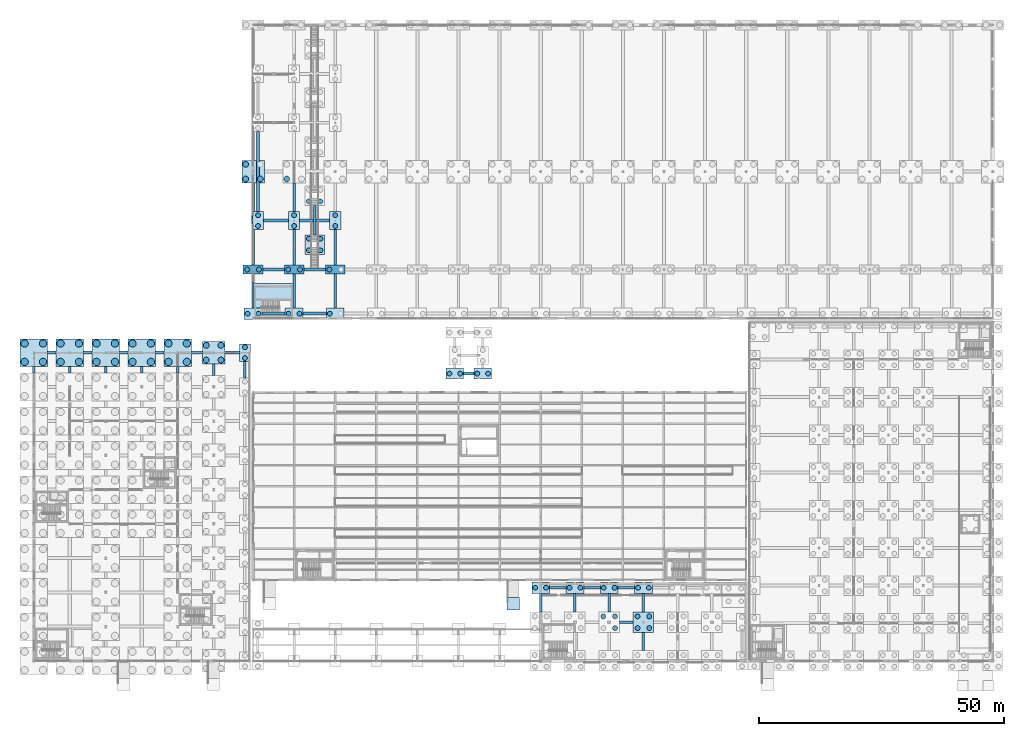
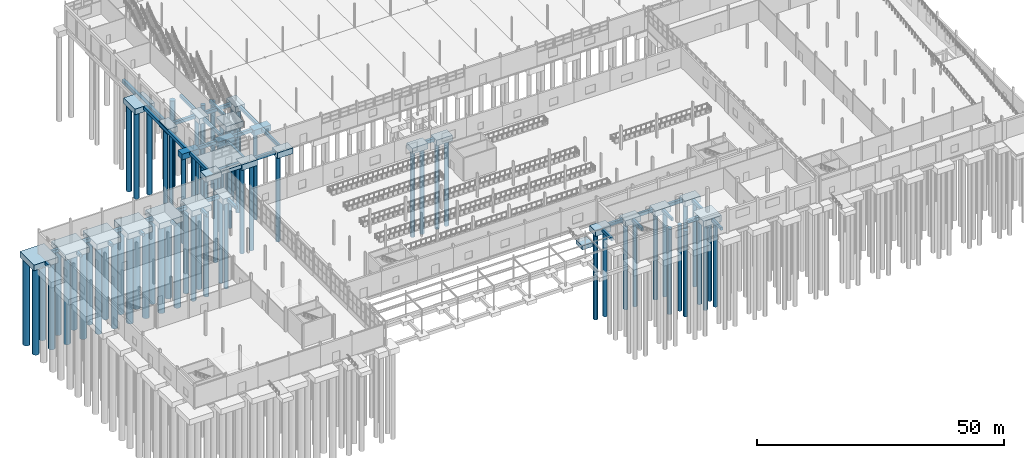
# One storey, part 4 of 139: 71 piles, 65 footings.
"""IFC4 building model written with IfcOpenShell, lengths in metres."""

from ifc_helpers import new_model, si_unit, direction, frame, origin, origin_2d, place, context, subcontext, project, spatial, polyline, rectangle, circle, outline, extrude, material, material_profile, profile_set, type_object, element, save


model = new_model("IFC4")

# Units and contexts
model_context = context("Model", 3, precision=1e-05, world=origin(), true_north=direction((0.0, 1.0)))
body_context = subcontext(model_context, "Body", "Model", "MODEL_VIEW")
ifc_project = project(units=[si_unit("LENGTHUNIT", "METRE"), si_unit("AREAUNIT", "SQUARE_METRE"), si_unit("VOLUMEUNIT", "CUBIC_METRE"), si_unit("PLANEANGLEUNIT", "RADIAN"), si_unit("MASSUNIT", "GRAM", prefix="KILO")], contexts=[model_context])

# Site, building, storey
site_placement = place(None, origin())
site = spatial("IfcSite", under=ifc_project, at=site_placement, CompositionType="ELEMENT")
building_placement = place(site_placement, origin())
building = spatial("IfcBuilding", under=site, at=building_placement, Name="Kazenagashi Tramway Depot", CompositionType="ELEMENT")
storey_placement = place(building_placement, origin())
storey = spatial("IfcBuildingStorey", under=building, at=storey_placement, Name="L01", CompositionType="ELEMENT", Elevation=0.0)

# Piles
ifc_material = material(Name="Concrete Fc30", Category="concrete")
ifc_material_profile_1 = material_profile(ifc_material, circle(Radius=0.5, at=origin_2d()), Name="PILE-1000")
ifc_profile_set_1 = profile_set([ifc_material_profile_1], Name="Concrete Fc30")
pile_type_1 = type_object("IfcPileType", Name="BP-01", PredefinedType="BORED", material=ifc_profile_set_1)
for number, where, z_axis, x_axis, name in (
    (1, (43.7, 70.975, -1.65), (0.0, 0.0, -1.0), (1.0, 0.0, 0.0), "Bored Pile BP-01 PILE-0001"),
    (2, (45.9, 70.975, -1.65), (0.0, 0.0, -1.0), (1.0, 0.0, 0.0), "Bored Pile BP-01 PILE-0002"),
    (3, (52.1, 70.975, -1.65), (0.0, 0.0, -1.0), (1.0, 0.0, 0.0), "Bored Pile BP-01 PILE-0009"),
    (4, (54.3, 70.975, -1.65), (0.0, 0.0, -1.0), (1.0, 0.0, 0.0), "Bored Pile BP-01 PILE-0010"),
    (5, (60.5, 70.975, -1.65), (0.0, 0.0, -1.0), (1.0, 0.0, 0.0), "Bored Pile BP-01 PILE-0017"),
    (6, (43.6, 80.0, -1.65), (0.0, 0.0, -1.0), (1.0, 0.0, 0.0), "Bored Pile BP-01 PILE-0153"),
    (7, (46.0, 80.0, -1.65), (0.0, 0.0, -1.0), (1.0, 0.0, 0.0), "Bored Pile BP-01 PILE-0154"),
    (8, (52.0, 80.0, -1.65), (0.0, 0.0, -1.0), (1.0, 0.0, 0.0), "Bored Pile BP-01 PILE-0155"),
    (9, (54.4, 80.0, -1.65), (0.0, 0.0, -1.0), (1.0, 0.0, 0.0), "Bored Pile BP-01 PILE-0156"),
    (10, (60.4, 80.0, -1.65), (0.0, 0.0, -1.0), (1.0, 0.0, 0.0), "Bored Pile BP-01 PILE-0157"),
    (11, (45.825, 88.9, -1.65), (0.0, 0.0, -1.0), (1.0, 0.0, 0.0), "Bored Pile BP-01 PILE-0191"),
    (12, (45.825, 91.1, -1.65), (0.0, 0.0, -1.0), (1.0, 0.0, 0.0), "Bored Pile BP-01 PILE-0192"),
    (13, (53.2, 88.9, -1.65), (0.0, 0.0, -1.0), (1.0, 0.0, 0.0), "Bored Pile BP-01 PILE-0193"),
    (14, (53.2, 91.1, -1.65), (0.0, 0.0, -1.0), (1.0, 0.0, 0.0), "Bored Pile BP-01 PILE-0194"),
    (15, (61.6, 88.9, -1.65), (0.0, 0.0, -1.0), (1.0, 0.0, 0.0), "Bored Pile BP-01 PILE-0195"),
    (16, (61.6, 91.1, -1.65), (0.0, 0.0, -1.0), (1.0, 0.0, 0.0), "Bored Pile BP-01 PILE-0196"),
    (17, (43.15, 61.9, -1.65), (0.0, 0.0, -1.0), (1.0, 0.0, 0.0), "Bored Pile BP-01 PILE-0945"),
    (18, (43.15, 64.1, -1.65), (0.0, 0.0, -1.0), (1.0, 0.0, 0.0), "Bored Pile BP-01 PILE-0946"),
    (19, (102.5, 14.95, -1.65), (0.0, 0.0, -1.0), (1.0, 0.0, 0.0), "Bored Pile BP-01 PILE-0955"),
    (20, (104.7, 14.95, -1.65), (0.0, 0.0, -1.0), (1.0, 0.0, 0.0), "Bored Pile BP-01 PILE-0956"),
    (21, (109.5, 14.95, -1.65), (0.0, 0.0, -1.0), (1.0, 0.0, 0.0), "Bored Pile BP-01 PILE-0965"),
    (22, (111.7, 14.95, -1.65), (0.0, 0.0, -1.0), (1.0, 0.0, 0.0), "Bored Pile BP-01 PILE-0966"),
):
    element("IfcPile", number, at=place(storey_placement, frame(where, z_axis=z_axis, x_axis=x_axis)), inside=storey, type_object=pile_type_1, Name=name, PredefinedType="BORED", context=body_context, shape_type="SweptSolid", body=[
        extrude(circle(Radius=0.5, at=origin_2d()), origin(), (0.0, 0.0, 1.0), 21.35),
    ])
for number, where, z_axis, x_axis, name in (
    (23, (118.8, 6.7, -1.75), (0.0, 0.0, -1.0), (1.0, 0.0, 0.0), "Bored Pile BP-01 PILE-0972"),
    (24, (116.4, 9.1, -1.75), (0.0, 0.0, -1.0), (1.0, 0.0, 0.0), "Bored Pile BP-01 PILE-0973"),
    (25, (118.8, 9.1, -1.75), (0.0, 0.0, -1.0), (1.0, 0.0, 0.0), "Bored Pile BP-01 PILE-0974"),
):
    element("IfcPile", number, at=place(storey_placement, frame(where, z_axis=z_axis, x_axis=x_axis)), inside=storey, type_object=pile_type_1, Name=name, PredefinedType="BORED", context=body_context, shape_type="SweptSolid", body=[
        extrude(circle(Radius=0.5, at=origin_2d()), origin(), (0.0, 0.0, 1.0), 21.25),
    ])
for number, where, z_axis, x_axis, name in (
    (26, (116.5, 14.95, -1.65), (0.0, 0.0, -1.0), (1.0, 0.0, 0.0), "Bored Pile BP-01 PILE-0975"),
    (27, (118.7, 14.95, -1.65), (0.0, 0.0, -1.0), (1.0, 0.0, 0.0), "Bored Pile BP-01 PILE-0976"),
):
    element("IfcPile", number, at=place(storey_placement, frame(where, z_axis=z_axis, x_axis=x_axis)), inside=storey, type_object=pile_type_1, Name=name, PredefinedType="BORED", context=body_context, shape_type="SweptSolid", body=[
        extrude(circle(Radius=0.5, at=origin_2d()), origin(), (0.0, 0.0, 1.0), 21.35),
    ])
for number, where, z_axis, x_axis, name in (
    (28, (123.4, 6.7, -1.75), (0.0, 0.0, -1.0), (1.0, 0.0, 0.0), "Bored Pile BP-01 PILE-0981"),
    (29, (125.8, 6.7, -1.75), (0.0, 0.0, -1.0), (1.0, 0.0, 0.0), "Bored Pile BP-01 PILE-0982"),
    (30, (123.4, 9.1, -1.75), (0.0, 0.0, -1.0), (1.0, 0.0, 0.0), "Bored Pile BP-01 PILE-0983"),
    (31, (125.8, 9.1, -1.75), (0.0, 0.0, -1.0), (1.0, 0.0, 0.0), "Bored Pile BP-01 PILE-0984"),
):
    element("IfcPile", number, at=place(storey_placement, frame(where, z_axis=z_axis, x_axis=x_axis)), inside=storey, type_object=pile_type_1, Name=name, PredefinedType="BORED", context=body_context, shape_type="SweptSolid", body=[
        extrude(circle(Radius=0.5, at=origin_2d()), origin(), (0.0, 0.0, 1.0), 21.25),
    ])
for number, where, z_axis, x_axis, name in (
    (32, (123.5, 14.95, -1.65), (0.0, 0.0, -1.0), (1.0, 0.0, 0.0), "Bored Pile BP-01 PILE-0985"),
    (33, (125.7, 14.95, -1.65), (0.0, 0.0, -1.0), (1.0, 0.0, 0.0), "Bored Pile BP-01 PILE-0986"),
    (34, (84.95, 58.725, -1.65), (0.0, 0.0, -1.0), (1.0, 0.0, 0.0), "Bored Pile BP-01 PILE-1019"),
    (35, (87.15, 58.725, -1.65), (0.0, 0.0, -1.0), (1.0, 0.0, 0.0), "Bored Pile BP-01 PILE-1020"),
    (36, (90.65, 58.725, -1.65), (0.0, 0.0, -1.0), (1.0, 0.0, 0.0), "Bored Pile BP-01 PILE-1025"),
    (37, (92.85, 58.725, -1.65), (0.0, 0.0, -1.0), (1.0, 0.0, 0.0), "Bored Pile BP-01 PILE-1026"),
    (38, (56.225, 83.93, -1.65), (0.0, 0.0, -1.0), (1.0, 0.0, 0.0), "Bored Pile BP-01 PILE-1031"),
    (39, (58.575, 83.93, -1.65), (0.0, 0.0, -1.0), (1.0, 0.0, 0.0), "Bored Pile BP-01 PILE-1032"),
    (40, (56.225, 86.28, -1.65), (0.0, 0.0, -1.0), (1.0, 0.0, 0.0), "Bored Pile BP-01 PILE-1033"),
    (41, (58.575, 86.28, -1.65), (0.0, 0.0, -1.0), (1.0, 0.0, 0.0), "Bored Pile BP-01 PILE-1034"),
    (42, (56.225, 93.93, -1.65), (0.0, 0.0, -1.0), (1.0, 0.0, 0.0), "Bored Pile BP-01 PILE-1035"),
    (43, (58.575, 93.93, -1.65), (0.0, 0.0, -1.0), (1.0, 0.0, 0.0), "Bored Pile BP-01 PILE-1036"),
):
    element("IfcPile", number, at=place(storey_placement, frame(where, z_axis=z_axis, x_axis=x_axis)), inside=storey, type_object=pile_type_1, Name=name, PredefinedType="BORED", context=body_context, shape_type="SweptSolid", body=[
        extrude(circle(Radius=0.5, at=origin_2d()), origin(), (0.0, 0.0, 1.0), 21.35),
    ])
ifc_material_profile_2 = material_profile(ifc_material, circle(Radius=0.6, at=origin_2d()), Name="PILE-1200")
ifc_profile_set_2 = profile_set([ifc_material_profile_2], Name="Concrete Fc30")
pile_type_2 = type_object("IfcPileType", Name="BP-02", PredefinedType="BORED", material=ifc_profile_set_2)
for number, where, z_axis, x_axis, name in (
    (44, (43.3, 98.5, -1.65), (0.0, 0.0, -1.0), (1.0, 0.0, 0.0), "Bored Pile BP-02 PILE-0003"),
    (45, (46.3, 98.5, -1.65), (0.0, 0.0, -1.0), (1.0, 0.0, 0.0), "Bored Pile BP-02 PILE-0004"),
    (46, (43.3, 101.5, -1.65), (0.0, 0.0, -1.0), (1.0, 0.0, 0.0), "Bored Pile BP-02 PILE-0005"),
    (47, (51.7, 98.5, -1.65), (0.0, 0.0, -1.0), (1.0, 0.0, 0.0), "Bored Pile BP-02 PILE-0011"),
    (48, (35.25, 61.5, -1.65), (0.0, 0.0, -1.0), (1.0, 0.0, 0.0), "Bored Pile BP-02 PILE-0923"),
    (49, (38.25, 61.5, -1.65), (0.0, 0.0, -1.0), (1.0, 0.0, 0.0), "Bored Pile BP-02 PILE-0924"),
    (50, (35.25, 64.5, -1.65), (0.0, 0.0, -1.0), (1.0, 0.0, 0.0), "Bored Pile BP-02 PILE-0925"),
    (51, (38.25, 64.5, -1.65), (0.0, 0.0, -1.0), (1.0, 0.0, 0.0), "Bored Pile BP-02 PILE-0926"),
):
    element("IfcPile", number, at=place(storey_placement, frame(where, z_axis=z_axis, x_axis=x_axis)), inside=storey, type_object=pile_type_2, Name=name, PredefinedType="BORED", context=body_context, shape_type="SweptSolid", body=[
        extrude(circle(Radius=0.6, at=origin_2d()), origin(), (0.0, 0.0, 1.0), 21.35),
    ])
ifc_material_profile_3 = material_profile(ifc_material, circle(Radius=0.75, at=origin_2d()), Name="PILE-1500")
ifc_profile_set_3 = profile_set([ifc_material_profile_3], Name="Concrete Fc30")
pile_type_3 = type_object("IfcPileType", Name="BP-03", PredefinedType="BORED", material=ifc_profile_set_3)
for number, where, z_axis, x_axis, name in (
    (52, (-1.875, 61.125, -1.65), (0.0, 0.0, -1.0), (1.0, 0.0, 0.0), "Bored Pile BP-03 PILE-0747"),
    (53, (1.875, 61.125, -1.65), (0.0, 0.0, -1.0), (1.0, 0.0, 0.0), "Bored Pile BP-03 PILE-0748"),
    (54, (-1.875, 64.875, -1.65), (0.0, 0.0, -1.0), (1.0, 0.0, 0.0), "Bored Pile BP-03 PILE-0749"),
    (55, (1.875, 64.875, -1.65), (0.0, 0.0, -1.0), (1.0, 0.0, 0.0), "Bored Pile BP-03 PILE-0750"),
    (56, (5.475, 61.125, -1.65), (0.0, 0.0, -1.0), (1.0, 0.0, 0.0), "Bored Pile BP-03 PILE-0775"),
    (57, (9.225, 61.125, -1.65), (0.0, 0.0, -1.0), (1.0, 0.0, 0.0), "Bored Pile BP-03 PILE-0776"),
    (58, (5.475, 64.875, -1.65), (0.0, 0.0, -1.0), (1.0, 0.0, 0.0), "Bored Pile BP-03 PILE-0777"),
    (59, (9.225, 64.875, -1.65), (0.0, 0.0, -1.0), (1.0, 0.0, 0.0), "Bored Pile BP-03 PILE-0778"),
    (60, (12.825, 61.125, -1.65), (0.0, 0.0, -1.0), (1.0, 0.0, 0.0), "Bored Pile BP-03 PILE-0815"),
    (61, (16.575, 61.125, -1.65), (0.0, 0.0, -1.0), (1.0, 0.0, 0.0), "Bored Pile BP-03 PILE-0816"),
    (62, (12.825, 64.875, -1.65), (0.0, 0.0, -1.0), (1.0, 0.0, 0.0), "Bored Pile BP-03 PILE-0817"),
    (63, (16.575, 64.875, -1.65), (0.0, 0.0, -1.0), (1.0, 0.0, 0.0), "Bored Pile BP-03 PILE-0818"),
    (64, (20.175, 61.125, -1.65), (0.0, 0.0, -1.0), (1.0, 0.0, 0.0), "Bored Pile BP-03 PILE-0843"),
    (65, (23.925, 61.125, -1.65), (0.0, 0.0, -1.0), (1.0, 0.0, 0.0), "Bored Pile BP-03 PILE-0844"),
    (66, (20.175, 64.875, -1.65), (0.0, 0.0, -1.0), (1.0, 0.0, 0.0), "Bored Pile BP-03 PILE-0845"),
    (67, (23.925, 64.875, -1.65), (0.0, 0.0, -1.0), (1.0, 0.0, 0.0), "Bored Pile BP-03 PILE-0846"),
    (68, (27.525, 61.125, -1.65), (0.0, 0.0, -1.0), (1.0, 0.0, 0.0), "Bored Pile BP-03 PILE-0883"),
    (69, (31.275, 61.125, -1.65), (0.0, 0.0, -1.0), (1.0, 0.0, 0.0), "Bored Pile BP-03 PILE-0884"),
    (70, (27.525, 64.875, -1.65), (0.0, 0.0, -1.0), (1.0, 0.0, 0.0), "Bored Pile BP-03 PILE-0885"),
    (71, (31.275, 64.875, -1.65), (0.0, 0.0, -1.0), (1.0, 0.0, 0.0), "Bored Pile BP-03 PILE-0886"),
):
    element("IfcPile", number, at=place(storey_placement, frame(where, z_axis=z_axis, x_axis=x_axis)), inside=storey, type_object=pile_type_3, Name=name, PredefinedType="BORED", context=body_context, shape_type="SweptSolid", body=[
        extrude(circle(Radius=0.75, at=origin_2d()), origin(), (0.0, 0.0, 1.0), 21.35),
    ])

# Footings
footing_type_1 = type_object("IfcFootingType", Name="FB-01", PredefinedType="FOOTING_BEAM", material=ifc_material)
footing_1_placement = place(storey_placement, frame((0.0, 0.0, -1.15)))
element("IfcFooting", 72, at=footing_1_placement, inside=storey, type_object=footing_type_1, Name="Footing Tie Beam FB-0045", PredefinedType="FOOTING_BEAM", context=body_context, shape_type="SweptSolid", body=[
    extrude(outline(polyline([(119.7, 7.6), (122.5, 7.6), (122.5, 8.2), (119.7, 8.2), (119.7, 7.6)])), origin(), (0.0, 0.0, 1.0), 0.8),
])
footing_2_placement = place(storey_placement, frame((0.0, 0.0, -1.15)))
element("IfcFooting", 73, at=footing_2_placement, inside=storey, type_object=footing_type_1, Name="Footing Tie Beam FB-0053", PredefinedType="FOOTING_BEAM", context=body_context, shape_type="SweptSolid", body=[
    extrude(outline(polyline([(105.42, 14.65), (108.78, 14.65), (108.78, 15.25), (105.42, 15.25), (105.42, 14.65)])), origin(), (0.0, 0.0, 1.0), 0.8),
])
footing_3_placement = place(storey_placement, frame((0.0, 0.0, -1.15)))
element("IfcFooting", 74, at=footing_3_placement, inside=storey, type_object=footing_type_1, Name="Footing Tie Beam FB-0054", PredefinedType="FOOTING_BEAM", context=body_context, shape_type="SweptSolid", body=[
    extrude(outline(polyline([(112.42, 14.65), (115.78, 14.65), (115.78, 15.25), (112.42, 15.25), (112.42, 14.65)])), origin(), (0.0, 0.0, 1.0), 0.8),
])
footing_4_placement = place(storey_placement, frame((0.0, 0.0, -1.15)))
element("IfcFooting", 75, at=footing_4_placement, inside=storey, type_object=footing_type_1, Name="Footing Tie Beam FB-0055", PredefinedType="FOOTING_BEAM", context=body_context, shape_type="SweptSolid", body=[
    extrude(outline(polyline([(119.42, 14.65), (122.78, 14.65), (122.78, 15.25), (119.42, 15.25), (119.42, 14.65)])), origin(), (0.0, 0.0, 1.0), 0.8),
])
footing_5_placement = place(storey_placement, frame((0.0, 0.0, -1.15)))
element("IfcFooting", 76, at=footing_5_placement, inside=storey, type_object=footing_type_1, Name="Footing Tie Beam FB-0122", PredefinedType="FOOTING_BEAM", context=body_context, shape_type="SweptSolid", body=[
    extrude(outline(polyline([(87.87, 58.425), (89.93, 58.425), (89.93, 59.025), (87.87, 59.025), (87.87, 58.425)])), origin(), (0.0, 0.0, 1.0), 0.8),
])
footing_6_placement = place(storey_placement, frame((0.0, 0.0, -1.15)))
element("IfcFooting", 77, at=footing_6_placement, inside=storey, type_object=footing_type_1, Name="Footing Tie Beam FB-0130", PredefinedType="FOOTING_BEAM", context=body_context, shape_type="SweptSolid", body=[
    extrude(outline(polyline([(2.825, 62.7), (4.525, 62.7), (4.525, 63.3), (2.825, 63.3), (2.825, 62.7)])), origin(), (0.0, 0.0, 1.0), 0.8),
])
footing_7_placement = place(storey_placement, frame((0.0, 0.0, -1.15)))
element("IfcFooting", 78, at=footing_7_placement, inside=storey, type_object=footing_type_1, Name="Footing Tie Beam FB-0131", PredefinedType="FOOTING_BEAM", context=body_context, shape_type="SweptSolid", body=[
    extrude(outline(polyline([(10.175, 62.7), (11.875, 62.7), (11.875, 63.3), (10.175, 63.3), (10.175, 62.7)])), origin(), (0.0, 0.0, 1.0), 0.8),
])
footing_8_placement = place(storey_placement, frame((0.0, 0.0, -1.15)))
element("IfcFooting", 79, at=footing_8_placement, inside=storey, type_object=footing_type_1, Name="Footing Tie Beam FB-0132", PredefinedType="FOOTING_BEAM", context=body_context, shape_type="SweptSolid", body=[
    extrude(outline(polyline([(17.525, 62.7), (19.225, 62.7), (19.225, 63.3), (17.525, 63.3), (17.525, 62.7)])), origin(), (0.0, 0.0, 1.0), 0.8),
])
footing_9_placement = place(storey_placement, frame((0.0, 0.0, -1.15)))
element("IfcFooting", 80, at=footing_9_placement, inside=storey, type_object=footing_type_1, Name="Footing Tie Beam FB-0133", PredefinedType="FOOTING_BEAM", context=body_context, shape_type="SweptSolid", body=[
    extrude(outline(polyline([(24.875, 62.7), (26.575, 62.7), (26.575, 63.3), (24.875, 63.3), (24.875, 62.7)])), origin(), (0.0, 0.0, 1.0), 0.8),
])
footing_10_placement = place(storey_placement, frame((0.0, 0.0, -1.15)))
element("IfcFooting", 81, at=footing_10_placement, inside=storey, type_object=footing_type_1, Name="Footing Tie Beam FB-0134", PredefinedType="FOOTING_BEAM", context=body_context, shape_type="SweptSolid", body=[
    extrude(outline(polyline([(32.225, 62.7), (34.45, 62.7), (34.45, 63.3), (32.225, 63.3), (32.225, 62.7)])), origin(), (0.0, 0.0, 1.0), 0.8),
])
footing_11_placement = place(storey_placement, frame((0.0, 0.0, -1.15)))
element("IfcFooting", 82, at=footing_11_placement, inside=storey, type_object=footing_type_1, Name="Footing Tie Beam FB-0135", PredefinedType="FOOTING_BEAM", context=body_context, shape_type="SweptSolid", body=[
    extrude(outline(polyline([(39.05, 62.7), (42.0, 62.7), (42.0, 63.3), (39.05, 63.3), (39.05, 62.7)])), origin(), (0.0, 0.0, 1.0), 0.8),
])
footing_12_placement = place(storey_placement, frame((0.0, 0.0, -1.15)))
element("IfcFooting", 83, at=footing_12_placement, inside=storey, type_object=footing_type_1, Name="Footing Tie Beam FB-0143", PredefinedType="FOOTING_BEAM", context=body_context, shape_type="SweptSolid", body=[
    extrude(outline(polyline([(46.62, 70.675), (51.38, 70.675), (51.38, 71.275), (46.62, 71.275), (46.62, 70.675)])), origin(), (0.0, 0.0, 1.0), 0.8),
])
footing_13_placement = place(storey_placement, frame((0.0, 0.0, -1.15)))
element("IfcFooting", 84, at=footing_13_placement, inside=storey, type_object=footing_type_1, Name="Footing Tie Beam FB-0144", PredefinedType="FOOTING_BEAM", context=body_context, shape_type="SweptSolid", body=[
    extrude(outline(polyline([(55.02, 70.675), (59.78, 70.675), (59.78, 71.275), (55.02, 71.275), (55.02, 70.675)])), origin(), (0.0, 0.0, 1.0), 0.8),
])
footing_14_placement = place(storey_placement, frame((0.0, 0.0, -1.15)))
element("IfcFooting", 85, at=footing_14_placement, inside=storey, type_object=footing_type_1, Name="Footing Tie Beam FB-0161", PredefinedType="FOOTING_BEAM", context=body_context, shape_type="SweptSolid", body=[
    extrude(outline(polyline([(46.8, 79.7), (51.2, 79.7), (51.2, 80.3), (46.8, 80.3), (46.8, 79.7)])), origin(), (0.0, 0.0, 1.0), 0.8),
])
footing_15_placement = place(storey_placement, frame((0.0, 0.0, -1.15)))
element("IfcFooting", 86, at=footing_15_placement, inside=storey, type_object=footing_type_1, Name="Footing Tie Beam FB-0162", PredefinedType="FOOTING_BEAM", context=body_context, shape_type="SweptSolid", body=[
    extrude(outline(polyline([(55.2, 79.7), (59.6, 79.7), (59.6, 80.3), (55.2, 80.3), (55.2, 79.7)])), origin(), (0.0, 0.0, 1.0), 0.8),
])
footing_16_placement = place(storey_placement, frame((0.0, 0.0, -1.15)))
element("IfcFooting", 87, at=footing_16_placement, inside=storey, type_object=footing_type_1, Name="Footing Tie Beam FB-0179", PredefinedType="FOOTING_BEAM", context=body_context, shape_type="SweptSolid", body=[
    extrude(outline(polyline([(46.975, 89.7), (52.05, 89.7), (52.05, 90.3), (46.975, 90.3), (46.975, 89.7)])), origin(), (0.0, 0.0, 1.0), 0.8),
])
footing_17_placement = place(storey_placement, frame((0.0, 0.0, -1.15)))
element("IfcFooting", 88, at=footing_17_placement, inside=storey, type_object=footing_type_1, Name="Footing Tie Beam FB-0180", PredefinedType="FOOTING_BEAM", context=body_context, shape_type="SweptSolid", body=[
    extrude(outline(polyline([(54.35, 89.7), (60.45, 89.7), (60.45, 90.3), (54.35, 90.3), (54.35, 89.7)])), origin(), (0.0, 0.0, 1.0), 0.8),
])
footing_type_2 = type_object("IfcFootingType", Name="FB-03", PredefinedType="FOOTING_BEAM", material=ifc_material)
footing_18_placement = place(storey_placement, frame((0.0, 0.0, -1.1)))
element("IfcFooting", 89, at=footing_18_placement, inside=storey, type_object=footing_type_2, Name="Footing Tie Beam FB-0229", PredefinedType="FOOTING_BEAM", context=body_context, shape_type="SweptSolid", body=[
    extrude(outline(polyline([(-0.25, 58.825), (0.25, 58.825), (0.25, 60.175), (-0.25, 60.175), (-0.25, 58.825)])), origin(), (0.0, 0.0, 1.0), 0.75),
])
footing_19_placement = place(storey_placement, frame((0.0, 0.0, -1.1)))
element("IfcFooting", 90, at=footing_19_placement, inside=storey, type_object=footing_type_2, Name="Footing Tie Beam FB-0235", PredefinedType="FOOTING_BEAM", context=body_context, shape_type="SweptSolid", body=[
    extrude(outline(polyline([(7.1, 58.825), (7.6, 58.825), (7.6, 60.175), (7.1, 60.175), (7.1, 58.825)])), origin(), (0.0, 0.0, 1.0), 0.75),
])
footing_20_placement = place(storey_placement, frame((0.0, 0.0, -1.1)))
element("IfcFooting", 91, at=footing_20_placement, inside=storey, type_object=footing_type_2, Name="Footing Tie Beam FB-0244", PredefinedType="FOOTING_BEAM", context=body_context, shape_type="SweptSolid", body=[
    extrude(outline(polyline([(14.45, 58.825), (14.95, 58.825), (14.95, 60.175), (14.45, 60.175), (14.45, 58.825)])), origin(), (0.0, 0.0, 1.0), 0.75),
])
footing_21_placement = place(storey_placement, frame((0.0, 0.0, -1.1)))
element("IfcFooting", 92, at=footing_21_placement, inside=storey, type_object=footing_type_2, Name="Footing Tie Beam FB-0250", PredefinedType="FOOTING_BEAM", context=body_context, shape_type="SweptSolid", body=[
    extrude(outline(polyline([(21.8, 58.825), (22.3, 58.825), (22.3, 60.175), (21.8, 60.175), (21.8, 58.825)])), origin(), (0.0, 0.0, 1.0), 0.75),
])
footing_22_placement = place(storey_placement, frame((0.0, 0.0, -1.1)))
element("IfcFooting", 93, at=footing_22_placement, inside=storey, type_object=footing_type_2, Name="Footing Tie Beam FB-0259", PredefinedType="FOOTING_BEAM", context=body_context, shape_type="SweptSolid", body=[
    extrude(outline(polyline([(29.15, 58.825), (29.65, 58.825), (29.65, 60.175), (29.15, 60.175), (29.15, 58.825)])), origin(), (0.0, 0.0, 1.0), 0.75),
])
footing_23_placement = place(storey_placement, frame((0.0, 0.0, -1.1)))
element("IfcFooting", 94, at=footing_23_placement, inside=storey, type_object=footing_type_2, Name="Footing Tie Beam FB-0268", PredefinedType="FOOTING_BEAM", context=body_context, shape_type="SweptSolid", body=[
    extrude(outline(polyline([(36.5, 58.3), (37.0, 58.3), (37.0, 60.7), (36.5, 60.7), (36.5, 58.3)])), origin(), (0.0, 0.0, 1.0), 0.75),
])
footing_24_placement = place(storey_placement, frame((0.0, 0.0, -1.1)))
element("IfcFooting", 95, at=footing_24_placement, inside=storey, type_object=footing_type_2, Name="Footing Tie Beam FB-0277", PredefinedType="FOOTING_BEAM", context=body_context, shape_type="SweptSolid", body=[
    extrude(outline(polyline([(42.9, 57.82), (43.4, 57.82), (43.4, 61.18), (42.9, 61.18), (42.9, 57.82)])), origin(), (0.0, 0.0, 1.0), 0.75),
])
footing_25_placement = place(storey_placement, frame((0.0, 0.0, -1.1)))
element("IfcFooting", 96, at=footing_25_placement, inside=storey, type_object=footing_type_2, Name="Footing Tie Beam FB-0278", PredefinedType="FOOTING_BEAM", context=body_context, shape_type="SweptSolid", body=[
    extrude(outline(polyline([(44.55, 72.125), (45.05, 72.125), (45.05, 79.1), (44.55, 79.1), (44.55, 72.125)])), origin(), (0.0, 0.0, 1.0), 0.75),
])
footing_26_placement = place(storey_placement, frame((0.0, 0.0, -1.1)))
element("IfcFooting", 97, at=footing_26_placement, inside=storey, type_object=footing_type_2, Name="Footing Tie Beam FB-0285", PredefinedType="FOOTING_BEAM", context=body_context, shape_type="SweptSolid", body=[
    extrude(outline(polyline([(52.95, 72.125), (53.45, 72.125), (53.45, 79.1), (52.95, 79.1), (52.95, 72.125)])), origin(), (0.0, 0.0, 1.0), 0.75),
])
footing_27_placement = place(storey_placement, frame((0.0, 0.0, -1.1)))
element("IfcFooting", 98, at=footing_27_placement, inside=storey, type_object=footing_type_2, Name="Footing Tie Beam FB-0286", PredefinedType="FOOTING_BEAM", context=body_context, shape_type="SweptSolid", body=[
    extrude(outline(polyline([(52.95, 80.9), (53.45, 80.9), (53.45, 88.18), (52.95, 88.18), (52.95, 80.9)])), origin(), (0.0, 0.0, 1.0), 0.75),
])
footing_28_placement = place(storey_placement, frame((0.0, 0.0, -1.1)))
element("IfcFooting", 99, at=footing_28_placement, inside=storey, type_object=footing_type_2, Name="Footing Tie Beam FB-0287", PredefinedType="FOOTING_BEAM", context=body_context, shape_type="SweptSolid", body=[
    extrude(outline(polyline([(52.95, 91.82), (53.45, 91.82), (53.45, 97.7), (52.95, 97.7), (52.95, 91.82)])), origin(), (0.0, 0.0, 1.0), 0.75),
])
footing_29_placement = place(storey_placement, frame((0.0, 0.0, -1.1)))
element("IfcFooting", 100, at=footing_29_placement, inside=storey, type_object=footing_type_2, Name="Footing Tie Beam FB-0291", PredefinedType="FOOTING_BEAM", context=body_context, shape_type="SweptSolid", body=[
    extrude(outline(polyline([(57.15, 87.105), (57.65, 87.105), (57.65, 93.105), (57.15, 93.105), (57.15, 87.105)])), origin(), (0.0, 0.0, 1.0), 0.75),
])
footing_30_placement = place(storey_placement, frame((0.0, 0.0, -1.1)))
element("IfcFooting", 101, at=footing_30_placement, inside=storey, type_object=footing_type_2, Name="Footing Tie Beam FB-0296", PredefinedType="FOOTING_BEAM", context=body_context, shape_type="SweptSolid", body=[
    extrude(outline(polyline([(61.35, 72.125), (61.85, 72.125), (61.85, 79.1), (61.35, 79.1), (61.35, 72.125)])), origin(), (0.0, 0.0, 1.0), 0.75),
])
footing_31_placement = place(storey_placement, frame((0.0, 0.0, -1.1)))
element("IfcFooting", 102, at=footing_31_placement, inside=storey, type_object=footing_type_2, Name="Footing Tie Beam FB-0297", PredefinedType="FOOTING_BEAM", context=body_context, shape_type="SweptSolid", body=[
    extrude(outline(polyline([(61.35, 80.9), (61.85, 80.9), (61.85, 88.18), (61.35, 88.18), (61.35, 80.9)])), origin(), (0.0, 0.0, 1.0), 0.75),
])
footing_32_placement = place(storey_placement, frame((0.0, 0.0, -1.1)))
element("IfcFooting", 103, at=footing_32_placement, inside=storey, type_object=footing_type_2, Name="Footing Tie Beam FB-0323", PredefinedType="FOOTING_BEAM", context=body_context, shape_type="SweptSolid", body=[
    extrude(outline(polyline([(103.35, 10.0), (103.85, 10.0), (103.85, 13.8), (103.35, 13.8), (103.35, 10.0)])), origin(), (0.0, 0.0, 1.0), 0.75),
])
footing_33_placement = place(storey_placement, frame((0.0, 0.0, -1.1)))
element("IfcFooting", 104, at=footing_33_placement, inside=storey, type_object=footing_type_2, Name="Footing Tie Beam FB-0328", PredefinedType="FOOTING_BEAM", context=body_context, shape_type="SweptSolid", body=[
    extrude(outline(polyline([(110.35, 10.0), (110.85, 10.0), (110.85, 13.8), (110.35, 13.8), (110.35, 10.0)])), origin(), (0.0, 0.0, 1.0), 0.75),
])
footing_34_placement = place(storey_placement, frame((0.0, 0.0, -1.1)))
element("IfcFooting", 105, at=footing_34_placement, inside=storey, type_object=footing_type_2, Name="Footing Tie Beam FB-0333", PredefinedType="FOOTING_BEAM", context=body_context, shape_type="SweptSolid", body=[
    extrude(outline(polyline([(117.35, 10.0), (117.85, 10.0), (117.85, 13.8), (117.35, 13.8), (117.35, 10.0)])), origin(), (0.0, 0.0, 1.0), 0.75),
])
footing_35_placement = place(storey_placement, frame((0.0, 0.0, -1.1)))
element("IfcFooting", 106, at=footing_35_placement, inside=storey, type_object=footing_type_2, Name="Footing Tie Beam FB-0337", PredefinedType="FOOTING_BEAM", context=body_context, shape_type="SweptSolid", body=[
    extrude(outline(polyline([(124.35, 2.1), (124.85, 2.1), (124.85, 5.8), (124.35, 5.8), (124.35, 2.1)])), origin(), (0.0, 0.0, 1.0), 0.75),
])
footing_36_placement = place(storey_placement, frame((0.0, 0.0, -1.1)))
element("IfcFooting", 107, at=footing_36_placement, inside=storey, type_object=footing_type_2, Name="Footing Tie Beam FB-0338", PredefinedType="FOOTING_BEAM", context=body_context, shape_type="SweptSolid", body=[
    extrude(outline(polyline([(124.35, 10.0), (124.85, 10.0), (124.85, 13.8), (124.35, 13.8), (124.35, 10.0)])), origin(), (0.0, 0.0, 1.0), 0.75),
])
footing_type_3 = type_object("IfcFootingType", Name="FB-04", PredefinedType="FOOTING_BEAM", material=ifc_material)
footing_37_placement = place(storey_placement, frame((0.0, 0.0, -1.2)))
element("IfcFooting", 108, at=footing_37_placement, inside=storey, type_object=footing_type_3, Name="Footing Tie Beam FB-0279", PredefinedType="FOOTING_BEAM", context=body_context, shape_type="SweptSolid", body=[
    extrude(outline(polyline([(44.475, 80.9), (45.125, 80.9), (45.125, 97.7), (44.475, 97.7), (44.475, 80.9)])), origin(), (0.0, 0.0, 1.0), 0.85),
])
footing_38_placement = place(storey_placement, frame((0.0, 0.0, -1.2)))
element("IfcFooting", 109, at=footing_38_placement, inside=storey, type_object=footing_type_3, Name="Footing Tie Beam FB-0282", PredefinedType="FOOTING_BEAM", context=body_context, shape_type="SweptSolid", body=[
    extrude(outline(polyline([(45.5, 91.82), (46.15, 91.82), (46.15, 108.18), (45.5, 108.18), (45.5, 91.82)])), origin(), (0.0, 0.0, 1.0), 0.85),
])
footing_type_4 = type_object("IfcFootingType", Name="PC-01", PredefinedType="PILE_CAP", material=ifc_material)
for number, where, z_axis, x_axis, name in (
    (110, (44.8, 80.0, -1.75), (0.0, 0.0, 1.0), (1.0, 0.0, 0.0), "Pile Cap PC-01 CAP-058"),
    (111, (53.2, 80.0, -1.75), (0.0, 0.0, 1.0), (1.0, 0.0, 0.0), "Pile Cap PC-01 CAP-059"),
    (112, (61.6, 80.0, -1.75), (0.0, 0.0, 1.0), (1.0, 0.0, 0.0), "Pile Cap PC-01 CAP-060"),
):
    element("IfcFooting", number, at=place(storey_placement, frame(where, z_axis=z_axis, x_axis=x_axis)), inside=storey, type_object=footing_type_4, Name=name, PredefinedType="PILE_CAP", context=body_context, shape_type="SweptSolid", body=[
        extrude(rectangle(XDim=4.0, YDim=1.8, at=origin_2d()), origin(), (0.0, 0.0, 1.0), 1.4),
    ])
footing_type_5 = type_object("IfcFootingType", Name="PC-03", PredefinedType="PILE_CAP", material=ifc_material)
footing_39_placement = place(storey_placement, frame((57.4, 85.105, -1.75), z_axis=(0.0, 0.0, 1.0), x_axis=(1.0, 0.0, 0.0)))
element("IfcFooting", 113, at=footing_39_placement, inside=storey, type_object=footing_type_5, Name="Pile Cap PC-03 CAP-323", PredefinedType="PILE_CAP", context=body_context, shape_type="SweptSolid", body=[
    extrude(rectangle(XDim=4.0, YDim=4.0, at=origin_2d()), origin(), (0.0, 0.0, 1.0), 1.4),
])
footing_type_6 = type_object("IfcFootingType", Name="PC-04", PredefinedType="PILE_CAP", material=ifc_material)
for number, where, z_axis, x_axis, name in (
    (114, (44.8, 100.0, -1.75), (0.0, 0.0, 1.0), (1.0, 0.0, 0.0), "Pile Cap PC-04 CAP-002"),
    (115, (36.75, 63.0, -1.75), (0.0, 0.0, 1.0), (1.0, 0.0, 0.0), "Pile Cap PC-04 CAP-283"),
):
    element("IfcFooting", number, at=place(storey_placement, frame(where, z_axis=z_axis, x_axis=x_axis)), inside=storey, type_object=footing_type_6, Name=name, PredefinedType="PILE_CAP", context=body_context, shape_type="SweptSolid", body=[
        extrude(rectangle(XDim=4.6, YDim=4.6, at=origin_2d()), origin(), (0.0, 0.0, 1.0), 1.4),
    ])
footing_type_7 = type_object("IfcFootingType", Name="PC-05", PredefinedType="PILE_CAP", material=ifc_material)
for number, where, z_axis, x_axis, name in (
    (116, (0.0, 63.0, -1.75), (0.0, 0.0, 1.0), (1.0, 0.0, 0.0), "Pile Cap PC-05 CAP-239"),
    (117, (7.35, 63.0, -1.75), (0.0, 0.0, 1.0), (1.0, 0.0, 0.0), "Pile Cap PC-05 CAP-246"),
    (118, (14.7, 63.0, -1.75), (0.0, 0.0, 1.0), (1.0, 0.0, 0.0), "Pile Cap PC-05 CAP-256"),
    (119, (22.05, 63.0, -1.75), (0.0, 0.0, 1.0), (1.0, 0.0, 0.0), "Pile Cap PC-05 CAP-263"),
    (120, (29.4, 63.0, -1.75), (0.0, 0.0, 1.0), (1.0, 0.0, 0.0), "Pile Cap PC-05 CAP-273"),
):
    element("IfcFooting", number, at=place(storey_placement, frame(where, z_axis=z_axis, x_axis=x_axis)), inside=storey, type_object=footing_type_7, Name=name, PredefinedType="PILE_CAP", context=body_context, shape_type="SweptSolid", body=[
        extrude(rectangle(XDim=5.65, YDim=5.65, at=origin_2d()), origin(), (0.0, 0.0, 1.0), 1.4),
    ])
footing_type_8 = type_object("IfcFootingType", Name="PC-08", PredefinedType="PILE_CAP", material=ifc_material)
footing_40_placement = place(storey_placement, frame((124.6, 7.9, -1.85), z_axis=(0.0, 0.0, 1.0), x_axis=(1.0, 0.0, 0.0)))
element("IfcFooting", 121, at=footing_40_placement, inside=storey, type_object=footing_type_8, Name="Pile Cap PC-08 CAP-304", PredefinedType="PILE_CAP", context=body_context, shape_type="SweptSolid", body=[
    extrude(rectangle(XDim=4.2, YDim=4.2, at=origin_2d()), origin(), (0.0, 0.0, 1.0), 1.5),
])
footing_type_9 = type_object("IfcFootingType", Name="PC-11", PredefinedType="PILE_CAP", material=ifc_material)
for number, where, z_axis, x_axis, name in (
    (122, (45.825, 90.0, -1.75), (0.0, 0.0, 1.0), (1.0, 0.0, 0.0), "Pile Cap PC-11 CAP-077"),
    (123, (53.2, 90.0, -1.75), (0.0, 0.0, 1.0), (1.0, 0.0, 0.0), "Pile Cap PC-11 CAP-078"),
    (124, (61.6, 90.0, -1.75), (0.0, 0.0, 1.0), (1.0, 0.0, 0.0), "Pile Cap PC-11 CAP-079"),
    (125, (43.15, 63.0, -1.75), (0.0, 0.0, 1.0), (1.0, 0.0, 0.0), "Pile Cap PC-11 CAP-293"),
):
    element("IfcFooting", number, at=place(storey_placement, frame(where, z_axis=z_axis, x_axis=x_axis)), inside=storey, type_object=footing_type_9, Name=name, PredefinedType="PILE_CAP", context=body_context, shape_type="SweptSolid", body=[
        extrude(rectangle(XDim=2.3, YDim=3.64, at=origin_2d()), origin(), (0.0, 0.0, 1.0), 1.4),
    ])
footing_type_10 = type_object("IfcFootingType", Name="PC-12", PredefinedType="PILE_CAP", material=ifc_material)
for number, where, z_axis, x_axis, name in (
    (126, (44.8, 70.975, -1.75), (0.0, 0.0, 1.0), (1.0, 0.0, 0.0), "Pile Cap PC-12 CAP-001"),
    (127, (53.2, 70.975, -1.75), (0.0, 0.0, 1.0), (1.0, 0.0, 0.0), "Pile Cap PC-12 CAP-004"),
    (128, (61.6, 70.975, -1.75), (0.0, 0.0, 1.0), (1.0, 0.0, 0.0), "Pile Cap PC-12 CAP-007"),
    (129, (103.6, 14.95, -1.75), (0.0, 0.0, 1.0), (1.0, 0.0, 0.0), "Pile Cap PC-12 CAP-296"),
    (130, (110.6, 14.95, -1.75), (0.0, 0.0, 1.0), (1.0, 0.0, 0.0), "Pile Cap PC-12 CAP-299"),
    (131, (117.6, 14.95, -1.75), (0.0, 0.0, 1.0), (1.0, 0.0, 0.0), "Pile Cap PC-12 CAP-302"),
    (132, (124.6, 14.95, -1.75), (0.0, 0.0, 1.0), (1.0, 0.0, 0.0), "Pile Cap PC-12 CAP-305"),
    (133, (86.05, 58.725, -1.75), (0.0, 0.0, 1.0), (1.0, 0.0, 0.0), "Pile Cap PC-12 CAP-317"),
    (134, (91.75, 58.725, -1.75), (0.0, 0.0, 1.0), (1.0, 0.0, 0.0), "Pile Cap PC-12 CAP-320"),
):
    element("IfcFooting", number, at=place(storey_placement, frame(where, z_axis=z_axis, x_axis=x_axis)), inside=storey, type_object=footing_type_10, Name=name, PredefinedType="PILE_CAP", context=body_context, shape_type="SweptSolid", body=[
        extrude(rectangle(XDim=3.64, YDim=2.3, at=origin_2d()), origin(), (0.0, 0.0, 1.0), 1.4),
    ])
footing_type_11 = type_object("IfcFootingType", Name="PF-02", PredefinedType="PAD_FOOTING", material=ifc_material)
footing_41_placement = place(storey_placement, frame((98.0, 11.7, -1.3), z_axis=(0.0, 0.0, 1.0), x_axis=(1.0, 0.0, 0.0)))
element("IfcFooting", 135, at=footing_41_placement, inside=storey, type_object=footing_type_11, Name="Ramp 5 Toe Pad Footing PAD-016", PredefinedType="PAD_FOOTING", context=body_context, shape_type="SweptSolid", body=[
    extrude(rectangle(XDim=2.5, YDim=2.5, at=origin_2d()), origin(), (0.0, 0.0, 1.0), 1.0),
])
footing_type_12 = type_object("IfcFootingType", Name="SF-02", PredefinedType="STRIP_FOOTING", material=ifc_material)
footing_42_placement = place(storey_placement, frame((0.0, 0.0, -1.2)))
element("IfcFooting", 136, at=footing_42_placement, inside=storey, type_object=footing_type_12, Name="Core Foundation Mat Strip SF-022", PredefinedType="STRIP_FOOTING", context=body_context, shape_type="SweptSolid", body=[
    extrude(outline(polyline([(44.7, 69.9), (53.3, 69.9), (53.3, 77.1), (44.7, 77.1), (44.7, 69.9)])), origin(), (0.0, 0.0, 1.0), 0.85),
])

save(model, "model.ifc")
